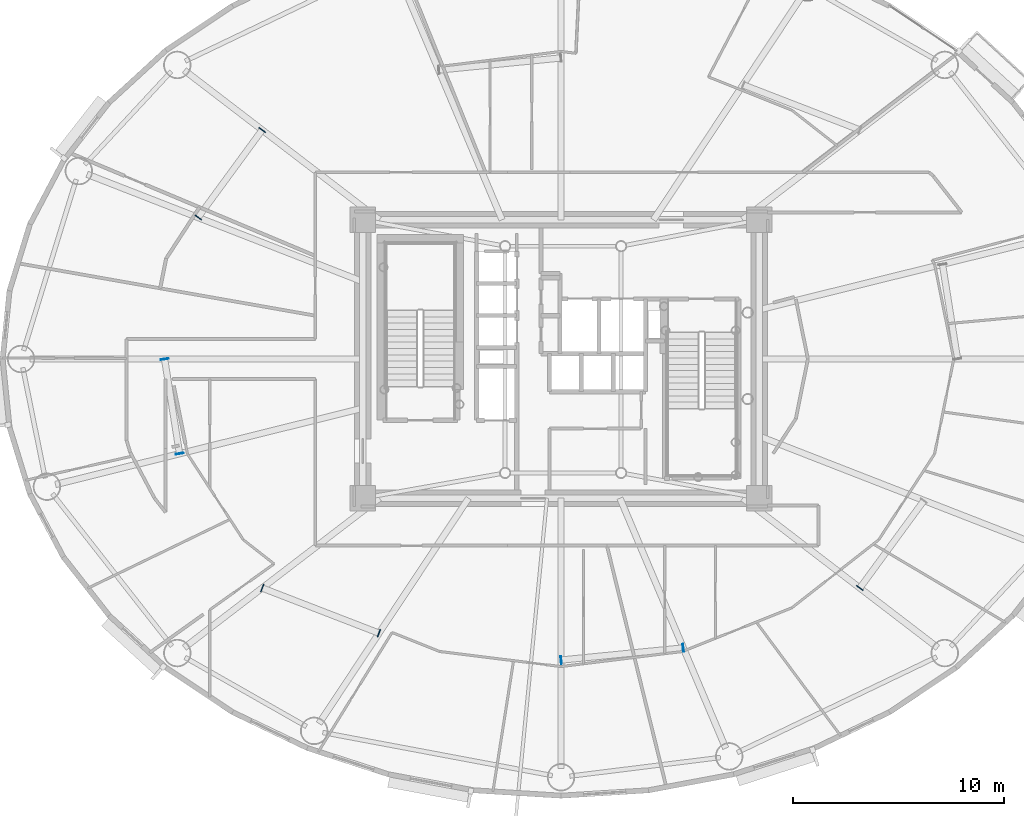
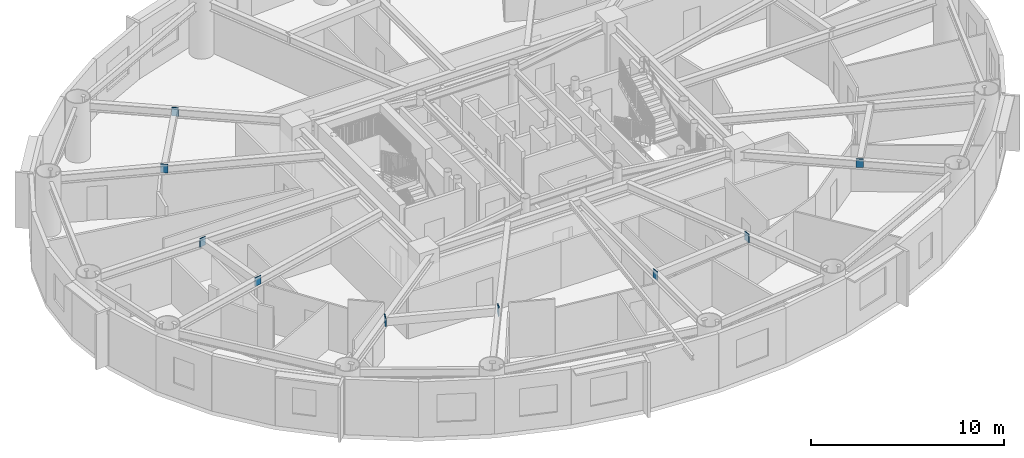
# One storey, part 7 of 21: 9 plates.
"""IFC4 building model written with IfcOpenShell, lengths in metres."""

from ifc_helpers import new_model, si_unit, direction, frame, origin, origin_2d, place, context, subcontext, project, spatial, rectangle, extrude, source, transform, mapped, material, layer, layer_set, type_object, element, save


model = new_model("IFC4")

# Units and contexts
model_context = context("Model", 3, precision=1e-05, world=origin(), true_north=direction((0.0, 1.0)))
body_context = subcontext(model_context, "Body", "Model", "MODEL_VIEW")
ifc_project = project(units=[si_unit("LENGTHUNIT", "METRE"), si_unit("AREAUNIT", "SQUARE_METRE"), si_unit("VOLUMEUNIT", "CUBIC_METRE"), si_unit("PLANEANGLEUNIT", "RADIAN"), si_unit("MASSUNIT", "GRAM", prefix="KILO")], contexts=[model_context])

# Site, building, storey
site_placement = place(None, origin())
site = spatial("IfcSite", under=ifc_project, at=site_placement, CompositionType="ELEMENT")
building_placement = place(site_placement, origin())
building = spatial("IfcBuilding", under=site, at=building_placement, Name="Linh Dai School and Residence Tower", CompositionType="ELEMENT")
storey_placement = place(building_placement, frame((0.0, 0.0, 189.89990234375)))
storey = spatial("IfcBuildingStorey", under=building, at=storey_placement, Name="L46", CompositionType="ELEMENT", Elevation=189.89990234375)

# Plates
ifc_material = material(Name="Structural Steel S355JR", Category="steel")
ifc_layer = layer(ifc_material, 0.0400390625)
ifc_layer_set = layer_set([ifc_layer], Name="Structural Steel S355JR")
plate_type = type_object("IfcPlateType", Name="PLT-GP1", PredefinedType="USERDEFINED", material=ifc_layer_set)
shared_shape = source(origin(), body_context, "Body", "SweptSolid", [
    extrude(rectangle(XDim=0.0400390625, YDim=0.3798828125, at=origin_2d()), origin(), (0.0, 0.0, 1.0), 0.5400390625),
])
for number, where, z_axis, x_axis, name in (
    (1, (21.828125, 37.854248046875, 2.97998046875), (0.0, 0.0, 1.0), (-0.590797317165, -0.806820010926, 0.0), "L46 Secondary Beam End Plate 04A"),
    (2, (18.794677734375, 33.71142578125, 2.97998046875), (0.0, 0.0, 1.0), (-0.590797317165, -0.806820010926, 0.0), "L46 Secondary Beam End Plate 04B"),
    (3, (17.204833984375, 26.9951171875, 2.97998046875), (0.0, 0.0, 1.0), (0.156309354655, -0.987708148011, 0.0), "L46 Secondary Beam End Plate 05A"),
    (4, (17.9140625, 22.513427734375, 2.97998046875), (0.0, 0.0, 1.0), (0.156309354655, -0.987708148011, 0.0), "L46 Secondary Beam End Plate 05B"),
    (5, (21.8359375, 16.139892578125, 2.97998046875), (0.0, 0.0, 1.0), (0.932822787929, -0.36033546359, 0.0), "L46 Secondary Beam End Plate 06A"),
    (6, (27.36572265625, 14.00390625, 2.97998046875), (0.0, 0.0, 1.0), (0.932822787929, -0.36033546359, 0.0), "L46 Secondary Beam End Plate 06B"),
    (7, (36.0048828125, 12.72705078125, 2.97998046875), (0.0, 0.0, 1.0), (0.995144649372, 0.098423202682, 0.0), "L46 Secondary Beam End Plate 07A"),
    (8, (41.79248046875, 13.299560546875, 2.97998046875), (0.0, 0.0, 1.0), (0.995144649372, 0.098423202682, 0.0), "L46 Secondary Beam End Plate 07B"),
    (9, (50.171875, 16.145751953125, 2.97998046875), (0.0, 0.0, 1.0), (0.590797317165, 0.806820010926, 0.0), "L46 Secondary Beam End Plate 08A"),
):
    element("IfcPlate", number, at=place(storey_placement, frame(where, z_axis=z_axis, x_axis=x_axis)), inside=storey, type_object=plate_type, Name=name, ObjectType="GUSSET PLATE", PredefinedType="USERDEFINED", context=body_context, shape_type="MappedRepresentation", body=[
        mapped(shared_shape, transform((0.0, 0.0, 0.0), x_axis=(1.0, 0.0, 0.0), y_axis=(0.0, 1.0, 0.0), z_axis=(0.0, 0.0, 1.0), scale=1.0)),
    ])

save(model, "model.ifc")
